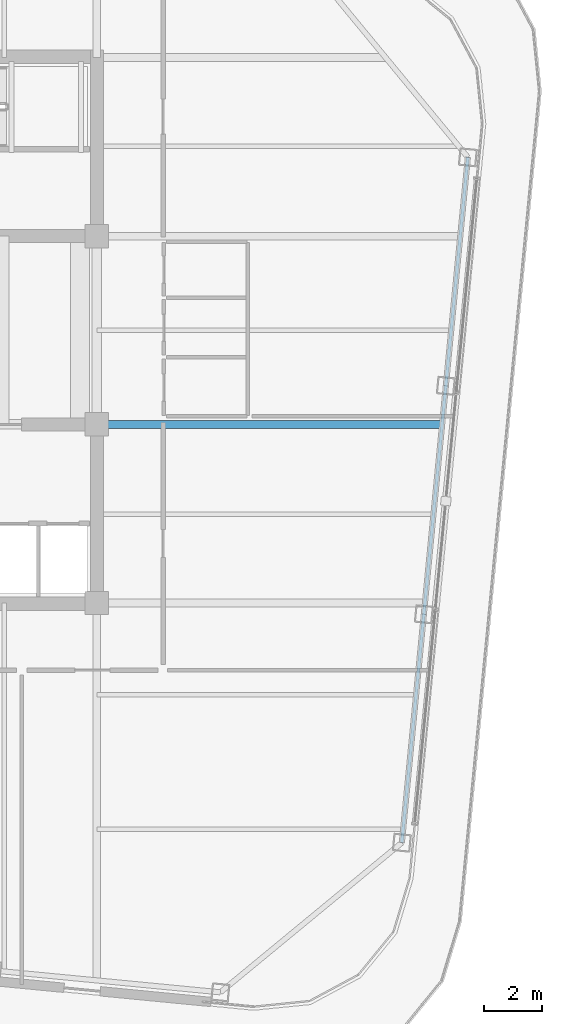
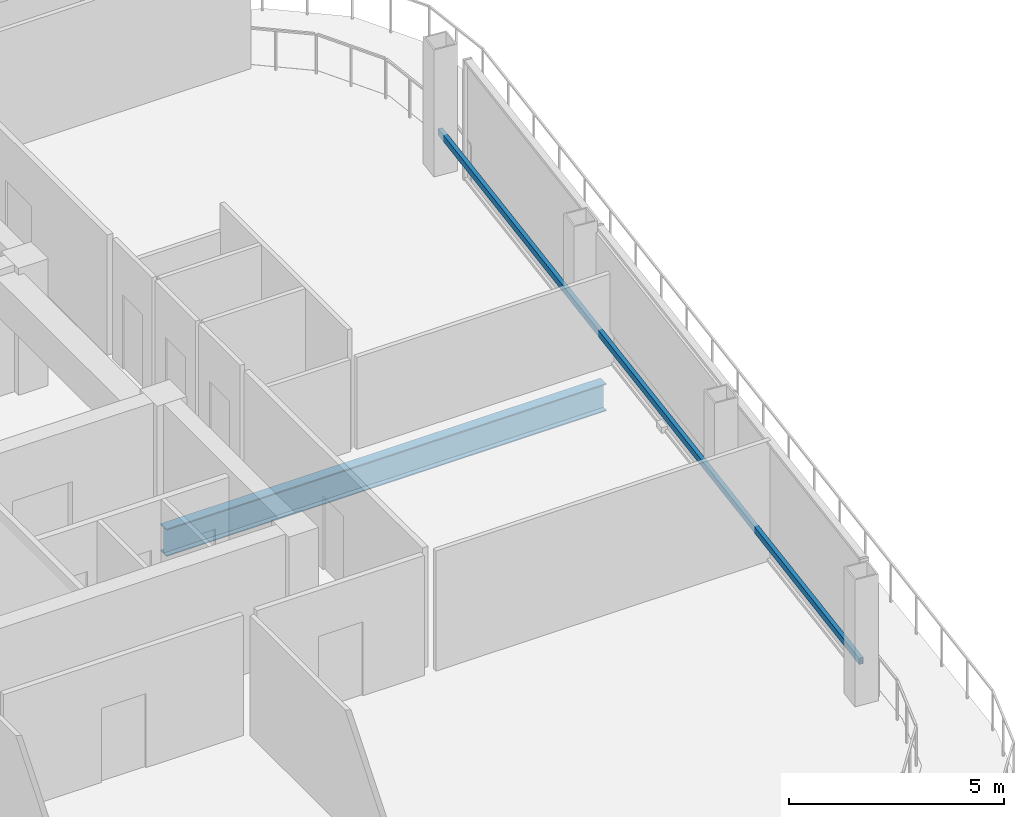
# One storey, part 9 of 23: 1 beam, 1 member.
"""IFC4 building model written with IfcOpenShell, lengths in metres."""

from ifc_helpers import new_model, si_unit, direction, frame, origin, origin_2d, place, context, subcontext, project, spatial, hollow_rectangle, i_section, extrude, material, material_profile, profile_set, type_object, element, save


model = new_model("IFC4")

# Units and contexts
model_context = context("Model", 3, precision=1e-05, world=origin(), true_north=direction((0.0, 1.0)))
body_context = subcontext(model_context, "Body", "Model", "MODEL_VIEW")
ifc_project = project(units=[si_unit("LENGTHUNIT", "METRE"), si_unit("AREAUNIT", "SQUARE_METRE"), si_unit("VOLUMEUNIT", "CUBIC_METRE"), si_unit("PLANEANGLEUNIT", "RADIAN"), si_unit("MASSUNIT", "GRAM", prefix="KILO")], contexts=[model_context])

# Site, building, storey
site_placement = place(None, origin())
site = spatial("IfcSite", under=ifc_project, at=site_placement, CompositionType="ELEMENT")
building_placement = place(site_placement, origin())
building = spatial("IfcBuilding", under=site, at=building_placement, Name="Qhalaya Broadcast Tower", CompositionType="ELEMENT")
storey_placement = place(building_placement, frame((0.0, 0.0, 276.949951171875)))
storey = spatial("IfcBuildingStorey", under=building, at=storey_placement, Name="L82", CompositionType="ELEMENT", Elevation=276.949951171875)

# Member
ifc_material_1 = material(Name="Fired Architectural Terracotta", Category="masonry")
ifc_material_profile_1 = material_profile(ifc_material_1, hollow_rectangle(XDim=0.110107421875, YDim=0.179931640625, WallThickness=0.01806640625, at=origin_2d()), Name="TB-BAG 110x180x18")
ifc_profile_set_1 = profile_set([ifc_material_profile_1], Name="Fired Architectural Terracotta")
member_type = type_object("IfcMemberType", Name="Fired Terracotta Facade Baguette Member TB1", PredefinedType="USERDEFINED", material=ifc_profile_set_1)
member_placement = place(storey_placement, frame((19.82861328125, -16.962890625, 1.02294921875), z_axis=(0.095836197305, 0.995397118383, 0.0), x_axis=(-0.995397118383, 0.095836197305, 0.0)))
element("IfcMember", 1, at=member_placement, inside=storey, type_object=member_type, Name="L82 Terracotta Baguette Feature Rail E", ObjectType="BAGUETTE", PredefinedType="USERDEFINED", context=body_context, shape_type="SweptSolid", body=[
    extrude(hollow_rectangle(XDim=0.110107421875, YDim=0.179931640625, WallThickness=0.01806640625, at=origin_2d()), origin(), (0.0, 0.0, 1.0), 23.599853515625),
])

# Beam
ifc_material_2 = material(Name="Structural Steel ASTM A992 Grade 50", Category="steel")
ifc_material_profile_2 = material_profile(ifc_material_2, i_section(OverallWidth=0.26708984375, OverallDepth=0.780029296875, WebThickness=0.0166015625, FlangeThickness=0.030029296875, at=origin_2d()), Name="W30X148")
ifc_profile_set_2 = profile_set([ifc_material_profile_2], Name="Structural Steel ASTM A992 Grade 50")
beam_type = type_object("IfcBeamType", Name="Neck & Crown Primary Girder PG5", PredefinedType="USERDEFINED", material=ifc_profile_set_2)
beam_placement = place(storey_placement, frame((9.375, -2.625, -0.579833984375), z_axis=(1.0, 0.0, 0.0), x_axis=(0.0, 1.0, 0.0)))
element("IfcBeam", 2, at=beam_placement, inside=storey, type_object=beam_type, Name="L82 PG5 L82-PGYE2-1", ObjectType="GIRDER", PredefinedType="USERDEFINED", context=body_context, shape_type="SweptSolid", body=[
    extrude(i_section(OverallWidth=0.26708984375, OverallDepth=0.780029296875, WebThickness=0.0166015625, FlangeThickness=0.030029296875, at=origin_2d()), origin(), (0.0, 0.0, 1.0), 11.81396484375),
])

save(model, "model.ifc")
